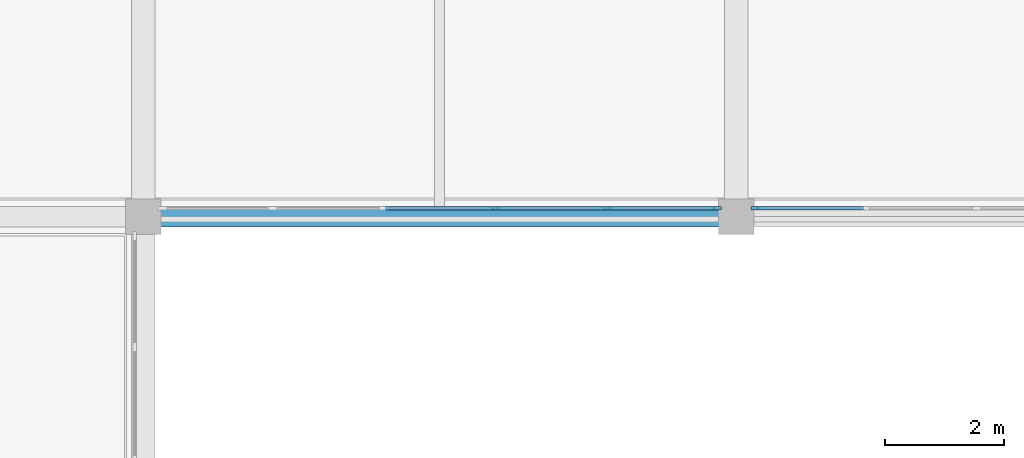
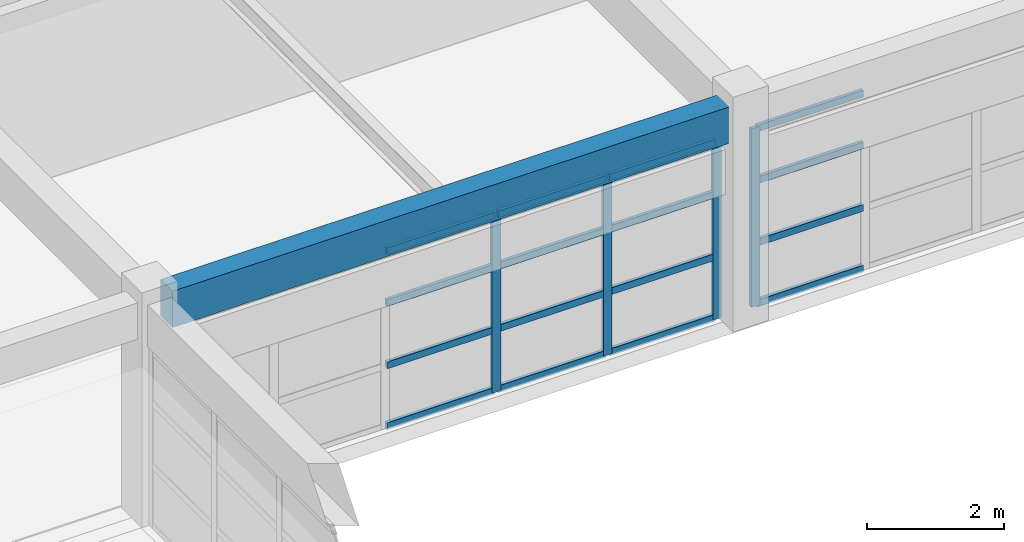
# One storey, part 8 of 28: 20 members, 1 beam, 2 elements without a shape of their own.
"""IFC4 building model written with IfcOpenShell, lengths in metres."""

from ifc_helpers import new_model, si_unit, direction, frame, origin, origin_2d, place, context, subcontext, project, spatial, rectangle, extrude, material, layer, layer_set, material_profile, profile_set, type_object, element, aggregate, save


model = new_model("IFC4")

# Units and contexts
model_context = context("Model", 3, precision=1e-05, world=origin(), true_north=direction((0.0, 1.0)))
body_context = subcontext(model_context, "Body", "Model", "MODEL_VIEW")
ifc_project = project(units=[si_unit("LENGTHUNIT", "METRE"), si_unit("AREAUNIT", "SQUARE_METRE"), si_unit("VOLUMEUNIT", "CUBIC_METRE"), si_unit("PLANEANGLEUNIT", "RADIAN"), si_unit("MASSUNIT", "GRAM", prefix="KILO")], contexts=[model_context])

# Site, building, storey
site_placement = place(None, origin())
site = spatial("IfcSite", under=ifc_project, at=site_placement, CompositionType="ELEMENT")
building_placement = place(site_placement, origin())
building = spatial("IfcBuilding", under=site, at=building_placement, Name="Kivolera Central Railway Station", CompositionType="ELEMENT")
storey_placement = place(building_placement, frame((0.0, 0.0, 18.60009765625)))
storey = spatial("IfcBuildingStorey", under=building, at=storey_placement, Name="L04", CompositionType="ELEMENT", Elevation=18.60009765625)

# Beam
ifc_material_1 = material(Name="Concrete C40/50", Category="concrete")
ifc_material_profile_1 = material_profile(ifc_material_1, rectangle(XDim=0.35009765625, YDim=0.64990234375, at=origin_2d()), Name="RC 350x650")
ifc_profile_set_1 = profile_set([ifc_material_profile_1], Name="Concrete C40/50")
beam_type = type_object("IfcBeamType", Name="BM-RC-350x650", PredefinedType="BEAM", material=ifc_profile_set_1)
beam_placement = place(storey_placement, frame((138.2919921875, 114.0, 3.625), z_axis=(1.0, 0.0, 0.0), x_axis=(0.0, 1.0, 0.0)))
element("IfcBeam", 1, at=beam_placement, inside=storey, type_object=beam_type, Name="L04 Wing X-Beam K:14-15", PredefinedType="BEAM", context=body_context, shape_type="SweptSolid", body=[
    extrude(rectangle(XDim=0.35009765625, YDim=0.64990234375, at=origin_2d()), origin(), (0.0, 0.0, 1.0), 9.416015625),
])

# Curtain wall, members
ifc_material_2 = material(Name="Anodised aluminium", Category="aluminium")
ifc_layer = layer(ifc_material_2, 0.179931640625, Name="Anodised aluminium")
ifc_layer_set = layer_set([ifc_layer], Name="Anodised aluminium")
curtain_wall_type = type_object("IfcCurtainWallType", Name="CW-SYS-31", PredefinedType="NOTDEFINED", material=ifc_layer_set)
curtain_wall_1_placement = place(storey_placement, origin())
curtain_wall_1 = element("IfcCurtainWall", 2, at=curtain_wall_1_placement, inside=storey, type_object=curtain_wall_type, Name="L04 Curtain Wall CW-L04-CRTN-138", PredefinedType="NOTDEFINED")
ifc_material_profile_2 = material_profile(ifc_material_2, rectangle(XDim=0.06005859375, YDim=0.14990234375, at=origin_2d()), Name="ALU MULL 60x150")
ifc_profile_set_2 = profile_set([ifc_material_profile_2], Name="Anodised aluminium")
member_type_1 = type_object("IfcMemberType", Name="CWM-MUL-2", PredefinedType="MULLION", material=ifc_profile_set_2)
member_1_placement = place(storey_placement, frame((147.675048828125, 114.14501953125, -0.005126953125), z_axis=(0.0, 0.0, 1.0), x_axis=(0.0, -1.0, 0.0)))
member_1 = element("IfcMember", 3, at=member_1_placement, type_object=member_type_1, Name="CW-31 mullion 1", PredefinedType="MULLION", context=body_context, shape_type="SweptSolid", body=[
    extrude(rectangle(XDim=0.06005859375, YDim=0.14990234375, at=origin_2d()), origin(), (0.0, 0.0, 1.0), 3.193115234375),
])
member_2_placement = place(storey_placement, frame((145.822998046875, 114.14501953125, -0.005126953125), z_axis=(0.0, 0.0, 1.0), x_axis=(0.0, -1.0, 0.0)))
member_2 = element("IfcMember", 4, at=member_2_placement, type_object=member_type_1, Name="CW-31 mullion 2", PredefinedType="MULLION", context=body_context, shape_type="SweptSolid", body=[
    extrude(rectangle(XDim=0.06005859375, YDim=0.14990234375, at=origin_2d()), origin(), (0.0, 0.0, 1.0), 3.193115234375),
])
member_3_placement = place(storey_placement, frame((143.94091796875, 114.14501953125, -0.005126953125), z_axis=(0.0, 0.0, 1.0), x_axis=(0.0, -1.0, 0.0)))
member_3 = element("IfcMember", 5, at=member_3_placement, type_object=member_type_1, Name="CW-31 mullion 3", PredefinedType="MULLION", context=body_context, shape_type="SweptSolid", body=[
    extrude(rectangle(XDim=0.06005859375, YDim=0.14990234375, at=origin_2d()), origin(), (0.0, 0.0, 1.0), 3.193115234375),
])

# Curtain wall, member
curtain_wall_2_placement = place(storey_placement, origin())
curtain_wall_2 = element("IfcCurtainWall", 6, at=curtain_wall_2_placement, inside=storey, type_object=curtain_wall_type, Name="L04 Curtain Wall CW-L04-CRTN-148", PredefinedType="NOTDEFINED")
member_4_placement = place(storey_placement, frame((148.324951171875, 114.14501953125, -0.005126953125), z_axis=(0.0, 0.0, 1.0), x_axis=(0.0, -1.0, 0.0)))
member_4 = element("IfcMember", 7, at=member_4_placement, type_object=member_type_1, Name="CW-31 mullion 6", PredefinedType="MULLION", context=body_context, shape_type="SweptSolid", body=[
    extrude(rectangle(XDim=0.06005859375, YDim=0.14990234375, at=origin_2d()), origin(), (0.0, 0.0, 1.0), 3.193115234375),
])

# Member
ifc_material_profile_3 = material_profile(ifc_material_2, rectangle(XDim=0.06005859375, YDim=0.1201171875, at=origin_2d()), Name="ALU TRAN 60x120")
ifc_profile_set_3 = profile_set([ifc_material_profile_3], Name="Anodised aluminium")
member_type_2 = type_object("IfcMemberType", Name="CWM-TRN-2", PredefinedType="USERDEFINED", material=ifc_profile_set_3)
member_5_placement = place(storey_placement, frame((147.64501953125, 114.14501953125, 0.02978515625), z_axis=(-1.0, 0.0, 0.0), x_axis=(0.0, -1.0, 0.0)))
member_5 = element("IfcMember", 8, at=member_5_placement, type_object=member_type_2, Name="CW-31 transom 1.1", ObjectType="TRANSOM", PredefinedType="USERDEFINED", context=body_context, shape_type="SweptSolid", body=[
    extrude(rectangle(XDim=0.06005859375, YDim=0.1201171875, at=origin_2d()), origin(), (0.0, 0.0, 1.0), 1.7919921875),
])

member_6_placement = place(storey_placement, frame((147.64501953125, 114.14501953125, 1.11572265625), z_axis=(-1.0, 0.0, 0.0), x_axis=(0.0, -1.0, 0.0)))
member_6 = element("IfcMember", 9, at=member_6_placement, type_object=member_type_2, Name="CW-31 transom 1.2", ObjectType="TRANSOM", PredefinedType="USERDEFINED", context=body_context, shape_type="SweptSolid", body=[
    extrude(rectangle(XDim=0.06005859375, YDim=0.1201171875, at=origin_2d()), origin(), (0.0, 0.0, 1.0), 1.7919921875),
])

member_7_placement = place(storey_placement, frame((147.64501953125, 114.14501953125, 2.2314453125), z_axis=(-1.0, 0.0, 0.0), x_axis=(0.0, -1.0, 0.0)))
member_7 = element("IfcMember", 10, at=member_7_placement, type_object=member_type_2, Name="CW-31 transom 1.3", ObjectType="TRANSOM", PredefinedType="USERDEFINED", context=body_context, shape_type="SweptSolid", body=[
    extrude(rectangle(XDim=0.06005859375, YDim=0.1201171875, at=origin_2d()), origin(), (0.0, 0.0, 1.0), 1.7919921875),
])

member_8_placement = place(storey_placement, frame((147.64501953125, 114.14501953125, 3.157958984375), z_axis=(-1.0, 0.0, 0.0), x_axis=(0.0, -1.0, 0.0)))
member_8 = element("IfcMember", 11, at=member_8_placement, type_object=member_type_2, Name="CW-31 transom 1.4", ObjectType="TRANSOM", PredefinedType="USERDEFINED", context=body_context, shape_type="SweptSolid", body=[
    extrude(rectangle(XDim=0.06005859375, YDim=0.1201171875, at=origin_2d()), origin(), (0.0, 0.0, 1.0), 1.7919921875),
])

member_9_placement = place(storey_placement, frame((145.79296875, 114.14501953125, 0.02978515625), z_axis=(-1.0, 0.0, 0.0), x_axis=(0.0, -1.0, 0.0)))
member_9 = element("IfcMember", 12, at=member_9_placement, type_object=member_type_2, Name="CW-31 transom 2.1", ObjectType="TRANSOM", PredefinedType="USERDEFINED", context=body_context, shape_type="SweptSolid", body=[
    extrude(rectangle(XDim=0.06005859375, YDim=0.1201171875, at=origin_2d()), origin(), (0.0, 0.0, 1.0), 1.822021484375),
])

member_10_placement = place(storey_placement, frame((145.79296875, 114.14501953125, 1.11572265625), z_axis=(-1.0, 0.0, 0.0), x_axis=(0.0, -1.0, 0.0)))
member_10 = element("IfcMember", 13, at=member_10_placement, type_object=member_type_2, Name="CW-31 transom 2.2", ObjectType="TRANSOM", PredefinedType="USERDEFINED", context=body_context, shape_type="SweptSolid", body=[
    extrude(rectangle(XDim=0.06005859375, YDim=0.1201171875, at=origin_2d()), origin(), (0.0, 0.0, 1.0), 1.822021484375),
])

member_11_placement = place(storey_placement, frame((145.79296875, 114.14501953125, 2.2314453125), z_axis=(-1.0, 0.0, 0.0), x_axis=(0.0, -1.0, 0.0)))
member_11 = element("IfcMember", 14, at=member_11_placement, type_object=member_type_2, Name="CW-31 transom 2.3", ObjectType="TRANSOM", PredefinedType="USERDEFINED", context=body_context, shape_type="SweptSolid", body=[
    extrude(rectangle(XDim=0.06005859375, YDim=0.1201171875, at=origin_2d()), origin(), (0.0, 0.0, 1.0), 1.822021484375),
])

member_12_placement = place(storey_placement, frame((145.79296875, 114.14501953125, 3.157958984375), z_axis=(-1.0, 0.0, 0.0), x_axis=(0.0, -1.0, 0.0)))
member_12 = element("IfcMember", 15, at=member_12_placement, type_object=member_type_2, Name="CW-31 transom 2.4", ObjectType="TRANSOM", PredefinedType="USERDEFINED", context=body_context, shape_type="SweptSolid", body=[
    extrude(rectangle(XDim=0.06005859375, YDim=0.1201171875, at=origin_2d()), origin(), (0.0, 0.0, 1.0), 1.822021484375),
])

member_13_placement = place(storey_placement, frame((143.910888671875, 114.14501953125, 0.02978515625), z_axis=(-1.0, 0.0, 0.0), x_axis=(0.0, -1.0, 0.0)))
member_13 = element("IfcMember", 16, at=member_13_placement, type_object=member_type_2, Name="CW-31 transom 3.1", ObjectType="TRANSOM", PredefinedType="USERDEFINED", context=body_context, shape_type="SweptSolid", body=[
    extrude(rectangle(XDim=0.06005859375, YDim=0.1201171875, at=origin_2d()), origin(), (0.0, 0.0, 1.0), 1.82177734375),
])

member_14_placement = place(storey_placement, frame((143.910888671875, 114.14501953125, 1.11572265625), z_axis=(-1.0, 0.0, 0.0), x_axis=(0.0, -1.0, 0.0)))
member_14 = element("IfcMember", 17, at=member_14_placement, type_object=member_type_2, Name="CW-31 transom 3.2", ObjectType="TRANSOM", PredefinedType="USERDEFINED", context=body_context, shape_type="SweptSolid", body=[
    extrude(rectangle(XDim=0.06005859375, YDim=0.1201171875, at=origin_2d()), origin(), (0.0, 0.0, 1.0), 1.82177734375),
])

member_15_placement = place(storey_placement, frame((143.910888671875, 114.14501953125, 2.2314453125), z_axis=(-1.0, 0.0, 0.0), x_axis=(0.0, -1.0, 0.0)))
member_15 = element("IfcMember", 18, at=member_15_placement, type_object=member_type_2, Name="CW-31 transom 3.3", ObjectType="TRANSOM", PredefinedType="USERDEFINED", context=body_context, shape_type="SweptSolid", body=[
    extrude(rectangle(XDim=0.06005859375, YDim=0.1201171875, at=origin_2d()), origin(), (0.0, 0.0, 1.0), 1.82177734375),
])

member_16_placement = place(storey_placement, frame((143.910888671875, 114.14501953125, 3.157958984375), z_axis=(-1.0, 0.0, 0.0), x_axis=(0.0, -1.0, 0.0)))
member_16 = element("IfcMember", 19, at=member_16_placement, type_object=member_type_2, Name="CW-31 transom 3.4", ObjectType="TRANSOM", PredefinedType="USERDEFINED", context=body_context, shape_type="SweptSolid", body=[
    extrude(rectangle(XDim=0.06005859375, YDim=0.1201171875, at=origin_2d()), origin(), (0.0, 0.0, 1.0), 1.82177734375),
])

aggregate(curtain_wall_1, [member_1, member_2, member_3, member_5, member_6, member_7, member_8, member_9, member_10, member_11, member_12, member_13, member_14, member_15, member_16])

member_17_placement = place(storey_placement, frame((150.14697265625, 114.14501953125, 0.02978515625), z_axis=(-1.0, 0.0, 0.0), x_axis=(0.0, -1.0, 0.0)))
member_17 = element("IfcMember", 20, at=member_17_placement, type_object=member_type_2, Name="CW-31 transom 5.1", ObjectType="TRANSOM", PredefinedType="USERDEFINED", context=body_context, shape_type="SweptSolid", body=[
    extrude(rectangle(XDim=0.06005859375, YDim=0.1201171875, at=origin_2d()), origin(), (0.0, 0.0, 1.0), 1.7919921875),
])

member_18_placement = place(storey_placement, frame((150.14697265625, 114.14501953125, 1.11572265625), z_axis=(-1.0, 0.0, 0.0), x_axis=(0.0, -1.0, 0.0)))
member_18 = element("IfcMember", 21, at=member_18_placement, type_object=member_type_2, Name="CW-31 transom 5.2", ObjectType="TRANSOM", PredefinedType="USERDEFINED", context=body_context, shape_type="SweptSolid", body=[
    extrude(rectangle(XDim=0.06005859375, YDim=0.1201171875, at=origin_2d()), origin(), (0.0, 0.0, 1.0), 1.7919921875),
])

member_19_placement = place(storey_placement, frame((150.14697265625, 114.14501953125, 2.2314453125), z_axis=(-1.0, 0.0, 0.0), x_axis=(0.0, -1.0, 0.0)))
member_19 = element("IfcMember", 22, at=member_19_placement, type_object=member_type_2, Name="CW-31 transom 5.3", ObjectType="TRANSOM", PredefinedType="USERDEFINED", context=body_context, shape_type="SweptSolid", body=[
    extrude(rectangle(XDim=0.06005859375, YDim=0.1201171875, at=origin_2d()), origin(), (0.0, 0.0, 1.0), 1.7919921875),
])

member_20_placement = place(storey_placement, frame((150.14697265625, 114.14501953125, 3.157958984375), z_axis=(-1.0, 0.0, 0.0), x_axis=(0.0, -1.0, 0.0)))
member_20 = element("IfcMember", 23, at=member_20_placement, type_object=member_type_2, Name="CW-31 transom 5.4", ObjectType="TRANSOM", PredefinedType="USERDEFINED", context=body_context, shape_type="SweptSolid", body=[
    extrude(rectangle(XDim=0.06005859375, YDim=0.1201171875, at=origin_2d()), origin(), (0.0, 0.0, 1.0), 1.7919921875),
])

aggregate(curtain_wall_2, [member_4, member_17, member_18, member_19, member_20])

save(model, "model.ifc")
